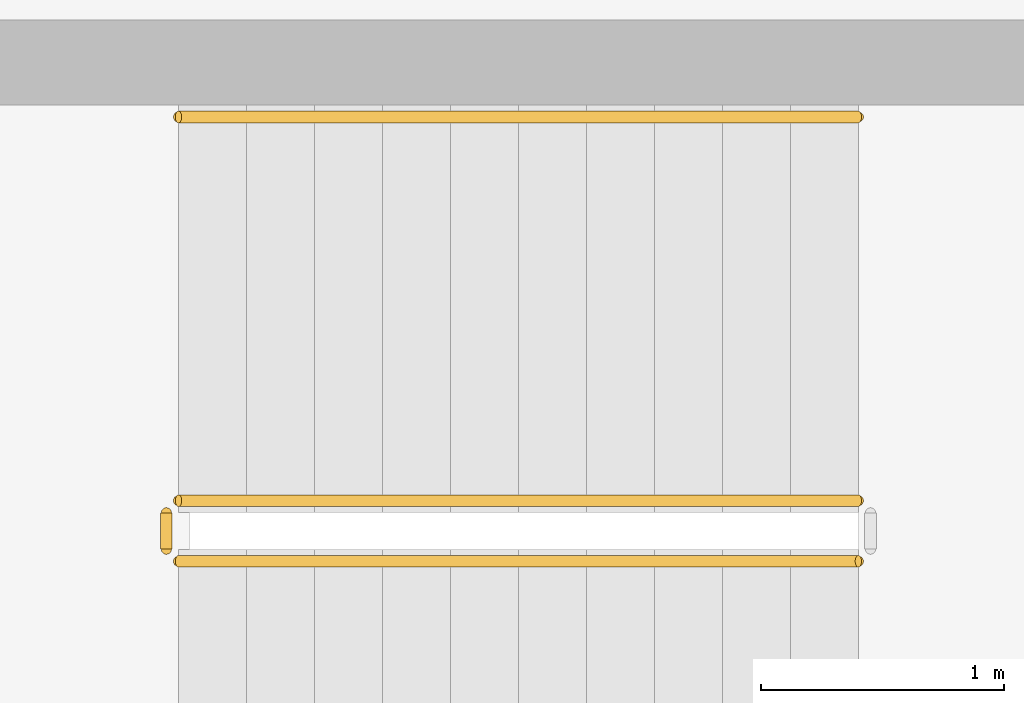
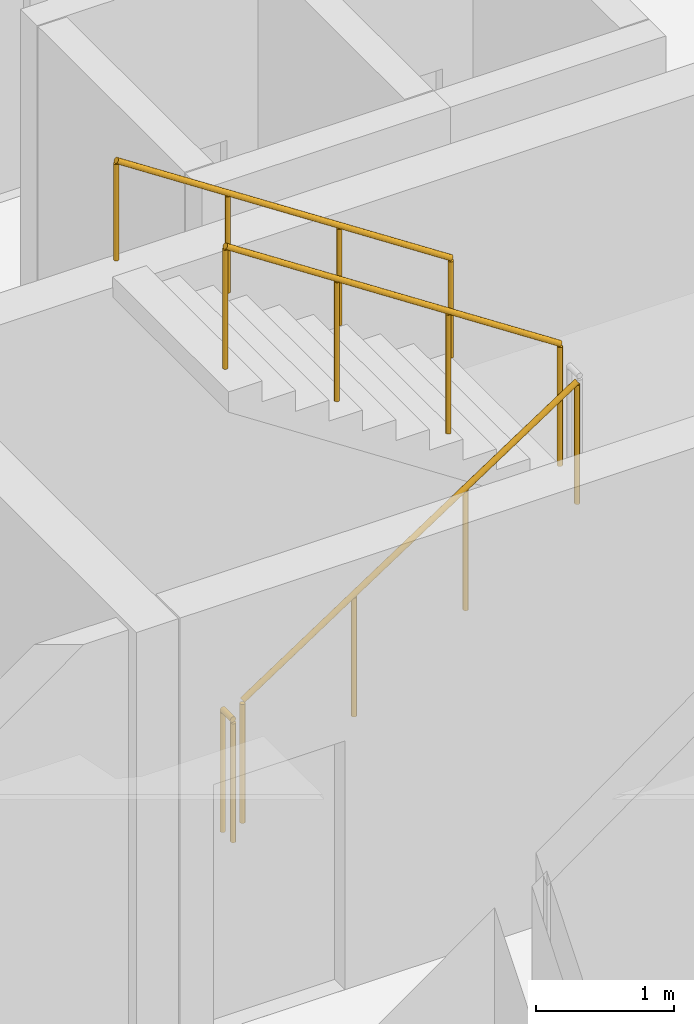
# One storey, part 39 of 44: 4 railings.
"""IFC4 building model written with IfcOpenShell, lengths in metres."""

from ifc_helpers import new_model, si_unit, direction, frame, origin, origin_2d, place, context, subcontext, project, spatial, circle, extrude, material, type_object, element, save


model = new_model("IFC4")

# Units and contexts
model_context = context("Model", 3, precision=1e-05, world=origin(), true_north=direction((0.0, 1.0)))
body_context = subcontext(model_context, "Body", "Model", "MODEL_VIEW")
ifc_project = project(units=[si_unit("LENGTHUNIT", "METRE"), si_unit("AREAUNIT", "SQUARE_METRE"), si_unit("VOLUMEUNIT", "CUBIC_METRE"), si_unit("PLANEANGLEUNIT", "RADIAN"), si_unit("MASSUNIT", "GRAM", prefix="KILO")], contexts=[model_context])

# Site, building, storey
site_placement = place(None, origin())
site = spatial("IfcSite", under=ifc_project, at=site_placement, CompositionType="ELEMENT")
building_placement = place(site_placement, origin())
building = spatial("IfcBuilding", under=site, at=building_placement, Name="Qorvath Tower", CompositionType="ELEMENT")
storey_placement = place(building_placement, frame((0.0, 0.0, 113.85009765625)))
storey = spatial("IfcBuildingStorey", under=building, at=storey_placement, Name="L25", CompositionType="ELEMENT", Elevation=113.85009765625)

# Railings
ifc_material_1 = material(Name="Painted galvanised steel", Category="steel")
railing_type_1 = type_object("IfcRailingType", Name="RL-STR-GRD", PredefinedType="GUARDRAIL", material=ifc_material_1)
railing_1_placement = place(storey_placement, frame((-22.669921875, -6.570068359375, 0.18408203125)))
element("IfcRailing", 1, at=railing_1_placement, inside=storey, type_object=railing_type_1, Name="L25 TS2 stair guard 1", PredefinedType="GUARDRAIL", context=body_context, shape_type="SweptSolid", body=[
    extrude(circle(Radius=0.02392578125, at=origin_2d()), frame((0.0, 0.0, 1.076171875), z_axis=(0.835575518608, 0.0, 0.549375602573), x_axis=(0.0, 1.0, 0.0)), (0.0, 0.0, 1.0), 3.350830078125),
    extrude(circle(Radius=0.02099609375, at=origin_2d()), origin(), (0.0, 0.0, 1.0), 1.052001953125),
    extrude(circle(Radius=0.02099609375, at=origin_2d()), frame((0.933349609375, 0.0, 0.613525390625)), (0.0, 0.0, 1.0), 1.052001953125),
    extrude(circle(Radius=0.02099609375, at=origin_2d()), frame((1.866455078125, 0.0, 1.227294921875)), (0.0, 0.0, 1.0), 1.052001953125),
    extrude(circle(Radius=0.02099609375, at=origin_2d()), frame((2.7998046875, 0.0, 1.8408203125)), (0.0, 0.0, 1.0), 1.052001953125),
])
railing_2_placement = place(storey_placement, frame((-19.8701171875, -6.320068359375, 2.208984375)))
element("IfcRailing", 2, at=railing_2_placement, inside=storey, type_object=railing_type_1, Name="L25 TS2 stair guard 3", PredefinedType="GUARDRAIL", context=body_context, shape_type="SweptSolid", body=[
    extrude(circle(Radius=0.02392578125, at=origin_2d()), frame((0.0, 0.0, 1.076171875), z_axis=(-0.835575518608, 0.0, 0.549375602573), x_axis=(0.0, -1.0, 0.0)), (0.0, 0.0, 1.0), 3.350830078125),
    extrude(circle(Radius=0.02099609375, at=origin_2d()), origin(), (0.0, 0.0, 1.0), 1.052001953125),
    extrude(circle(Radius=0.02099609375, at=origin_2d()), frame((-0.933349609375, 0.0, 0.613525390625)), (0.0, 0.0, 1.0), 1.052001953125),
    extrude(circle(Radius=0.02099609375, at=origin_2d()), frame((-1.866455078125, 0.0, 1.227294921875)), (0.0, 0.0, 1.0), 1.052001953125),
    extrude(circle(Radius=0.02099609375, at=origin_2d()), frame((-2.7998046875, 0.0, 1.8408203125)), (0.0, 0.0, 1.0), 1.052001953125),
])
railing_3_placement = place(storey_placement, frame((-22.719970703125, -6.52001953125, 0.0)))
element("IfcRailing", 3, at=railing_3_placement, inside=storey, type_object=railing_type_1, Name="L25 TS2 stair guard 4", PredefinedType="GUARDRAIL", context=body_context, shape_type="SweptSolid", body=[
    extrude(circle(Radius=0.02392578125, at=origin_2d()), frame((0.0, 0.0, 1.076171875), z_axis=(0.0, 1.0, 0.0), x_axis=(-1.0, 0.0, 0.0)), (0.0, 0.0, 1.0), 0.14990234375),
    extrude(circle(Radius=0.02099609375, at=origin_2d()), origin(), (0.0, 0.0, 1.0), 1.052001953125),
    extrude(circle(Radius=0.02099609375, at=origin_2d()), frame((0.0, 0.14990234375, 0.0)), (0.0, 0.0, 1.0), 1.052001953125),
])
ifc_material_2 = material(Name="Brushed stainless steel AISI 304", Category="steel")
railing_type_2 = type_object("IfcRailingType", Name="RL-STR-HND", PredefinedType="HANDRAIL", material=ifc_material_2)
railing_4_placement = place(storey_placement, frame((-19.8701171875, -4.739990234375, 2.208984375)))
element("IfcRailing", 4, at=railing_4_placement, inside=storey, type_object=railing_type_2, Name="L25 TS2 stair handrail 2", PredefinedType="HANDRAIL", context=body_context, shape_type="SweptSolid", body=[
    extrude(circle(Radius=0.02392578125, at=origin_2d()), frame((0.0, 0.0, 0.8759765625), z_axis=(-0.835575518608, 0.0, 0.549375602573), x_axis=(0.0, -1.0, 0.0)), (0.0, 0.0, 1.0), 3.350830078125),
    extrude(circle(Radius=0.02099609375, at=origin_2d()), origin(), (0.0, 0.0, 1.0), 0.851806640625),
    extrude(circle(Radius=0.02099609375, at=origin_2d()), frame((-0.933349609375, 0.0, 0.613525390625)), (0.0, 0.0, 1.0), 0.851806640625),
    extrude(circle(Radius=0.02099609375, at=origin_2d()), frame((-1.866455078125, 0.0, 1.227294921875)), (0.0, 0.0, 1.0), 0.851806640625),
    extrude(circle(Radius=0.02099609375, at=origin_2d()), frame((-2.7998046875, 0.0, 1.8408203125)), (0.0, 0.0, 1.0), 0.851806640625),
])

save(model, "model.ifc")
